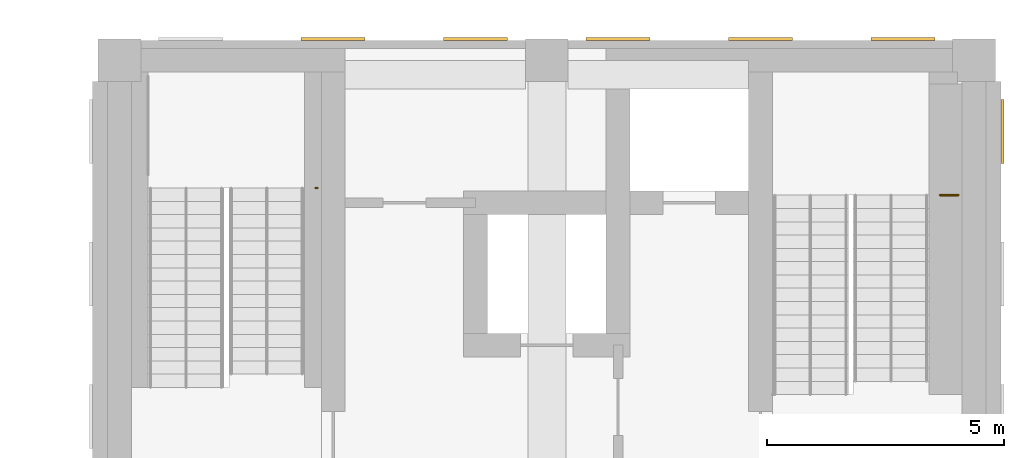
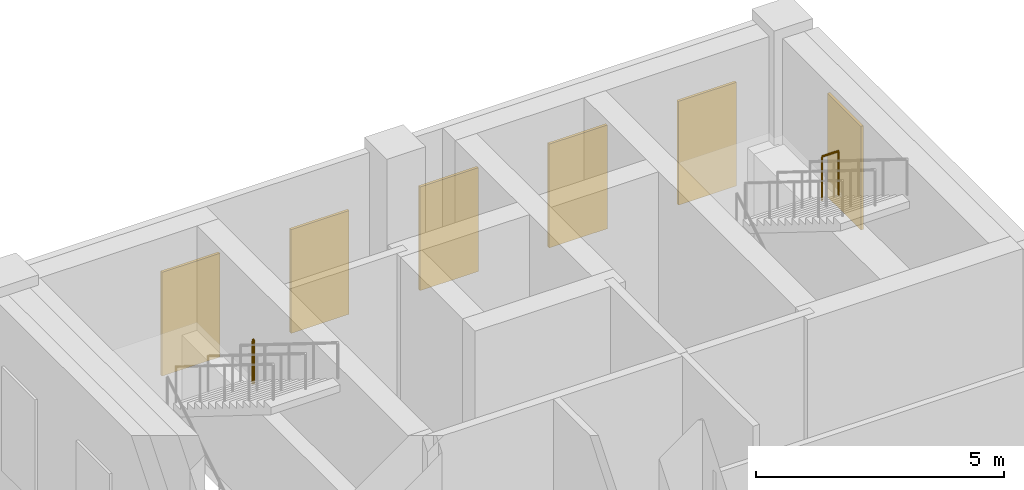
# One storey, part 35 of 37: 6 coverings, 2 railings.
"""IFC4 building model written with IfcOpenShell, lengths in metres."""

from ifc_helpers import new_model, si_unit, direction, frame, origin, origin_2d, place, context, subcontext, project, spatial, rectangle, circle, extrude, material, layer, layer_set, type_object, element, save


model = new_model("IFC4")

# Units and contexts
model_context = context("Model", 3, precision=1e-05, world=origin(), true_north=direction((0.0, 1.0)))
body_context = subcontext(model_context, "Body", "Model", "MODEL_VIEW")
ifc_project = project(units=[si_unit("LENGTHUNIT", "METRE"), si_unit("AREAUNIT", "SQUARE_METRE"), si_unit("VOLUMEUNIT", "CUBIC_METRE"), si_unit("PLANEANGLEUNIT", "RADIAN"), si_unit("MASSUNIT", "GRAM", prefix="KILO")], contexts=[model_context])

# Site, building, storey
site_placement = place(None, origin())
site = spatial("IfcSite", under=ifc_project, at=site_placement, CompositionType="ELEMENT")
building_placement = place(site_placement, origin())
building = spatial("IfcBuilding", under=site, at=building_placement, Name="Aurelan Courthouse", CompositionType="ELEMENT")
storey_placement = place(building_placement, frame((0.0, 0.0, 17.39990234375)))
storey = spatial("IfcBuildingStorey", under=building, at=storey_placement, Name="L03", CompositionType="ELEMENT", Elevation=17.39990234375)

# Coverings
ifc_material_1 = material(Name="Bronze sheet cladding")
ifc_layer = layer(ifc_material_1, 0.06005859375)
ifc_layer_set = layer_set([ifc_layer], Name="Bronze sheet cladding")
covering_type = type_object("IfcCoveringType", Name="Law Library blind bay 1350 x 2550", PredefinedType="CLADDING", material=ifc_layer_set)
for number, where, z_axis, x_axis, name in (
    (1, (76.5, 66.449951171875, 1.2001953125), (0.0, 0.0, 1.0), (1.0, 0.0, 0.0), "Blind bay BB-V3-L03-008"),
    (2, (79.5, 66.449951171875, 1.2001953125), (0.0, 0.0, 1.0), (1.0, 0.0, 0.0), "Blind bay BB-V3-L03-009"),
    (3, (82.5, 66.449951171875, 1.2001953125), (0.0, 0.0, 1.0), (1.0, 0.0, 0.0), "Blind bay BB-V3-L03-010"),
    (4, (85.5, 66.449951171875, 1.2001953125), (0.0, 0.0, 1.0), (1.0, 0.0, 0.0), "Blind bay BB-V3-L03-011"),
    (5, (88.5, 66.449951171875, 1.2001953125), (0.0, 0.0, 1.0), (1.0, 0.0, 0.0), "Blind bay BB-V3-L03-012"),
):
    element("IfcCovering", number, at=place(storey_placement, frame(where, z_axis=z_axis, x_axis=x_axis)), inside=storey, type_object=covering_type, Name=name, PredefinedType="CLADDING", context=body_context, shape_type="SweptSolid", body=[
        extrude(rectangle(XDim=1.35009765625, YDim=0.06005859375, at=origin_2d()), origin(), (0.0, 0.0, 1.0), 2.550048828125),
    ])
covering_placement = place(storey_placement, frame((90.60009765625, 64.5, 1.2001953125), z_axis=(0.0, 0.0, 1.0), x_axis=(1.0, 0.0, 0.0)))
element("IfcCovering", 6, at=covering_placement, inside=storey, type_object=covering_type, Name="Blind bay BB-V3-L03-018", PredefinedType="CLADDING", context=body_context, shape_type="SweptSolid", body=[
    extrude(rectangle(XDim=0.06005859375, YDim=1.35009765625, at=origin_2d()), origin(), (0.0, 0.0, 1.0), 2.550048828125),
])

# Railings
ifc_material_2 = material(Name="Steel S355", Category="steel")
railing_type = type_object("IfcRailingType", Name="Stair guard 1100", PredefinedType="GUARDRAIL", material=ifc_material_2)
railing_1_placement = place(storey_placement, frame((76.169921875, 63.31005859375, 2.787109375)))
element("IfcRailing", 7, at=railing_1_placement, inside=storey, type_object=railing_type, Name="Guard ST-3A-L03-GL2", PredefinedType="GUARDRAIL", context=body_context, shape_type="SweptSolid", body=[
    extrude(circle(Radius=0.02392578125, at=origin_2d()), frame((0.0, 0.0, 1.076171875), z_axis=(-1.0, 0.0, 0.0), x_axis=(0.0, -1.0, 0.0)), (0.0, 0.0, 1.0), 0.0400390625),
    extrude(circle(Radius=0.02099609375, at=origin_2d()), origin(), (0.0, 0.0, 1.0), 1.052001953125),
    extrude(circle(Radius=0.02099609375, at=origin_2d()), frame((-0.0400390625, 0.0, 0.0)), (0.0, 0.0, 1.0), 1.052001953125),
])
railing_2_placement = place(storey_placement, frame((89.669921875, 63.159912109375, 2.787109375)))
element("IfcRailing", 8, at=railing_2_placement, inside=storey, type_object=railing_type, Name="Guard ST-3B-L03-GL1", PredefinedType="GUARDRAIL", context=body_context, shape_type="SweptSolid", body=[
    extrude(circle(Radius=0.02392578125, at=origin_2d()), frame((0.0, 0.0, 1.076171875), z_axis=(-1.0, 0.0, 0.0), x_axis=(0.0, -1.0, 0.0)), (0.0, 0.0, 1.0), 0.389892578125),
    extrude(circle(Radius=0.02099609375, at=origin_2d()), origin(), (0.0, 0.0, 1.0), 1.052001953125),
    extrude(circle(Radius=0.02099609375, at=origin_2d()), frame((-0.389892578125, 0.0, 0.0)), (0.0, 0.0, 1.0), 1.052001953125),
])

save(model, "model.ifc")
